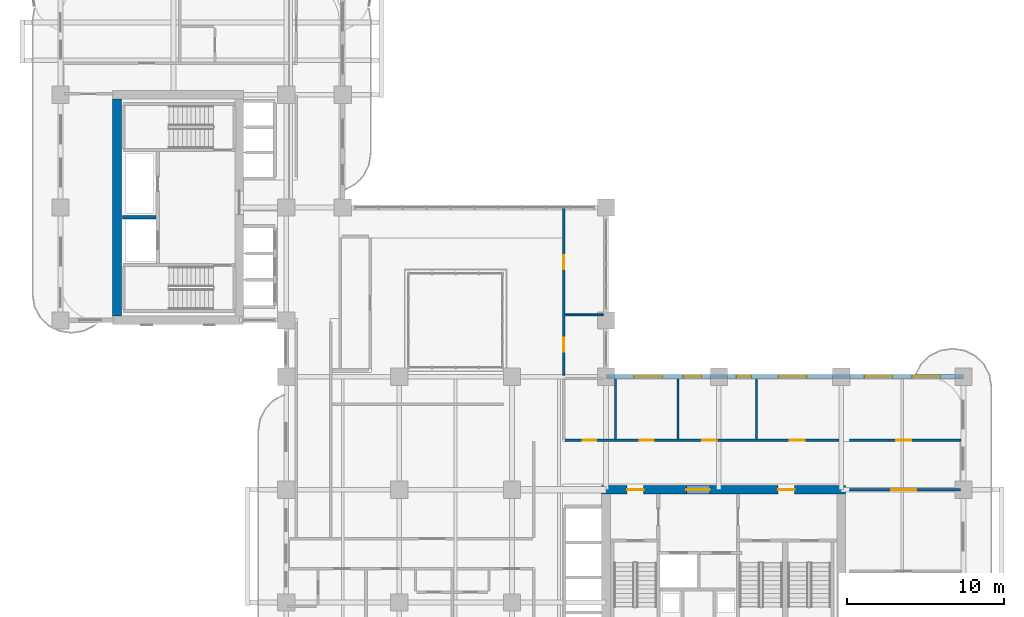
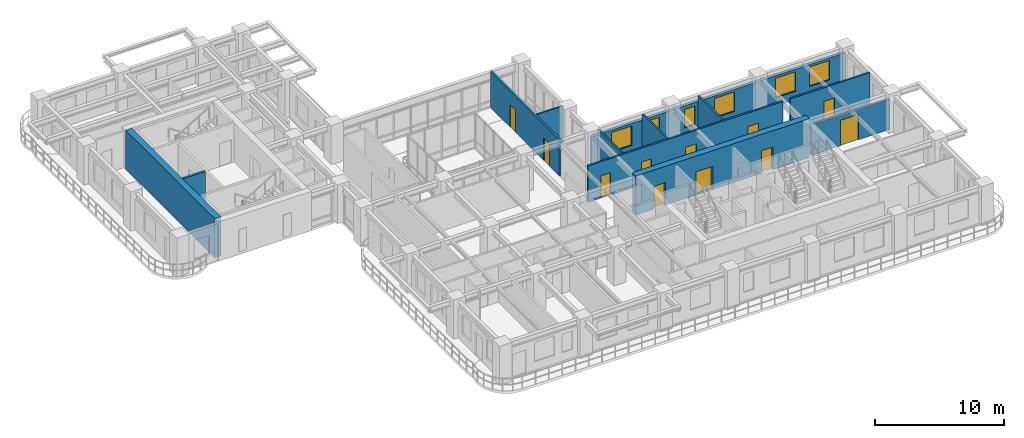
# One storey, part 15 of 22: 12 walls, 11 doors, 6 windows, 17 openings.
"""IFC4 building model written with IfcOpenShell, lengths in metres."""

import ifcopenshell
import ifcopenshell.guid

model = None  # the IFC model being written
_history = None  # IfcOwnerHistory: only IFC2X3 demands one
_inside = {}  # id of a spatial element -> (the spatial element, [elements in it])
_under = {}  # id of a project, library or spatial element -> (it, [spatial elements below it])
_declared = {}  # id of a project -> (the project, [libraries it declares])
_typed = {}  # id of a type object -> (the type object, [elements of that type])
_made_of = {}  # id of a material, layer set ... -> (it, [elements and type objects made of it])


def new_model(schema):
    """Start an empty IFC model of exactly this schema.

    Asked for "IFC4X3", IfcOpenShell would pick the latest addendum, in which some entities
    have other attributes; the version numbers below select the first issue.
    IFC2X3 requires an IfcOwnerHistory on every rooted entity: one is made here for all.
    """
    global model, _history
    if schema == "IFC4X3":
        model = ifcopenshell.file(schema_version=(4, 3, 0, 0))
    else:
        model = ifcopenshell.file(schema=schema)
    _inside.clear()
    _under.clear()
    _declared.clear()
    _typed.clear()
    _made_of.clear()
    _history = None
    if model.schema == "IFC2X3":
        org = make("IfcOrganization", Name="unknown")
        user = make(
            "IfcPersonAndOrganization",
            ThePerson=make("IfcPerson", FamilyName="unknown"),
            TheOrganization=org,
        )
        app = make(
            "IfcApplication",
            ApplicationDeveloper=org,
            Version="unknown",
            ApplicationFullName="unknown",
            ApplicationIdentifier="unknown",
        )
        _history = make(
            "IfcOwnerHistory",
            OwningUser=user,
            OwningApplication=app,
            ChangeAction="ADDED",
            CreationDate=0,
        )
    return model


def make(cls, **values):
    """One entity of the class cls with the attributes given. An attribute that is None is left unset."""
    return model.create_entity(
        cls, **{name: value for name, value in values.items() if value is not None}
    )


def rooted(cls, **values):
    """An entity with a GlobalId (a new one), such as an element, a storey or a relation."""
    return make(cls, GlobalId=ifcopenshell.guid.new(), OwnerHistory=_history, **values)


def si_unit(unit_type, name, prefix=None):
    """IfcSIUnit, for example si_unit("LENGTHUNIT", "METRE", prefix="MILLI")."""
    return make("IfcSIUnit", UnitType=unit_type, Prefix=prefix, Name=name)


def derived_unit(unit_type, elements):
    """IfcDerivedUnit: a product of units, each with its exponent."""
    return make(
        "IfcDerivedUnit",
        Elements=[
            make("IfcDerivedUnitElement", Unit=unit, Exponent=power)
            for unit, power in elements
        ],
        UnitType=unit_type,
    )


def assignment(units):
    """IfcUnitAssignment: the units of a project."""
    return None if units is None else make("IfcUnitAssignment", Units=units)


def point(xyz):
    """IfcCartesianPoint."""
    return None if xyz is None else make("IfcCartesianPoint", Coordinates=xyz)


def direction(xyz):
    """IfcDirection."""
    return None if xyz is None else make("IfcDirection", DirectionRatios=xyz)


def frame(location, z_axis=None, x_axis=None):
    """IfcAxis2Placement3D, a coordinate frame: its origin and axes. An axis left out is left unset."""
    return make(
        "IfcAxis2Placement3D",
        Location=point(location),
        Axis=direction(z_axis),
        RefDirection=direction(x_axis),
    )


def frame_2d(location, x_axis=None):
    """IfcAxis2Placement2D, a coordinate frame in the plane: its origin and x axis."""
    return make(
        "IfcAxis2Placement2D", Location=point(location), RefDirection=direction(x_axis)
    )


def origin():
    """The frame at (0, 0, 0) with its axes left unset."""
    return frame((0.0, 0.0, 0.0))


def place(relative_to, where):
    """IfcLocalPlacement: puts the frame where relative to a parent placement (None: the world)."""
    return make(
        "IfcLocalPlacement", PlacementRelTo=relative_to, RelativePlacement=where
    )


def context(
    kind, dimensions, precision=None, world=None, true_north=None, identifier=None
):
    """IfcGeometricRepresentationContext, for example the 3D "Model" context."""
    return make(
        "IfcGeometricRepresentationContext",
        ContextIdentifier=identifier,
        ContextType=kind,
        CoordinateSpaceDimension=dimensions,
        Precision=precision,
        WorldCoordinateSystem=world,
        TrueNorth=true_north,
    )


def subcontext(parent, identifier, kind, view, scale=None):
    """IfcGeometricRepresentationSubContext, for example "Body" below "Model"."""
    return make(
        "IfcGeometricRepresentationSubContext",
        ContextIdentifier=identifier,
        ContextType=kind,
        ParentContext=parent,
        TargetScale=scale,
        TargetView=view,
    )


def project(units=None, contexts=None):
    """IfcProject with its units and contexts."""
    return rooted(
        "IfcProject",
        Name="project",
        RepresentationContexts=contexts,
        UnitsInContext=assignment(units),
    )


def spatial(cls, under=None, at=None, **own):
    """A site, building, storey or space (cls), placed at a placement, below another one or the project."""
    s = rooted(cls, ObjectPlacement=at, **own)
    if under is not None:
        _under.setdefault(under.id(), (under, []))[1].append(s)
    return s


def profile(cls, at=None, kind="AREA", **sizes):
    """A parametric profile (cls). Its sizes go by their IFC names, for example OverallWidth=200.0."""
    return make(cls, ProfileType=kind, Position=at, **sizes)


def rectangle(**sizes):
    """IfcRectangleProfileDef."""
    return profile("IfcRectangleProfileDef", **sizes)


def extrude(swept, where, along, depth):
    """IfcExtrudedAreaSolid: the profile swept, set in the frame where, extruded along a direction by depth."""
    return make(
        "IfcExtrudedAreaSolid",
        SweptArea=swept,
        Position=where,
        ExtrudedDirection=direction(along),
        Depth=depth,
    )


def shape(context_of_items, identifier, shape_type, items):
    """IfcShapeRepresentation: the items that make up one representation, for example the "Body"."""
    return make(
        "IfcShapeRepresentation",
        ContextOfItems=context_of_items,
        RepresentationIdentifier=identifier,
        RepresentationType=shape_type,
        Items=items,
    )


def source(mapping_origin, context_of_items, identifier, shape_type, items):
    """IfcRepresentationMap: a shape defined once, which mapped items show again and again."""
    return make(
        "IfcRepresentationMap",
        MappingOrigin=mapping_origin,
        MappedRepresentation=shape(context_of_items, identifier, shape_type, items),
    )


def transform(
    local_origin,
    x_axis=None,
    y_axis=None,
    z_axis=None,
    scale=None,
    scale2=None,
    scale3=None,
    uniform=True,
):
    """IfcCartesianTransformationOperator3D, or its non-uniform kind. x_axis, y_axis, z_axis: its Axis1, 2, 3."""
    if uniform:
        return make(
            "IfcCartesianTransformationOperator3D",
            Axis1=direction(x_axis),
            Axis2=direction(y_axis),
            LocalOrigin=point(local_origin),
            Scale=scale,
            Axis3=direction(z_axis),
        )
    return make(
        "IfcCartesianTransformationOperator3DnonUniform",
        Axis1=direction(x_axis),
        Axis2=direction(y_axis),
        LocalOrigin=point(local_origin),
        Scale=scale,
        Axis3=direction(z_axis),
        Scale2=scale2,
        Scale3=scale3,
    )


def mapped(mapping_source, mapping_target):
    """IfcMappedItem: shows the shape of a source again, moved by a transform."""
    return make(
        "IfcMappedItem", MappingSource=mapping_source, MappingTarget=mapping_target
    )


def material(Name=None, Category=None):
    """IfcMaterial."""
    return make("IfcMaterial", Name=Name, Category=Category)


def layer(
    of_material, thickness, ventilated=None, Name=None, Category=None, Priority=None
):
    """IfcMaterialLayer: one layer of a wall or slab, of a material (None: an air gap)."""
    return make(
        "IfcMaterialLayer",
        Material=of_material,
        LayerThickness=thickness,
        IsVentilated=ventilated,
        Name=Name,
        Category=Category,
        Priority=Priority,
    )


def layer_set(layers, Name=None):
    """IfcMaterialLayerSet."""
    return make("IfcMaterialLayerSet", MaterialLayers=layers, LayerSetName=Name)


def made_of(thing, what):
    """Note that an element or type object is made of a material, layer set ...; save() writes the relation."""
    if what is not None:
        _made_of.setdefault(what.id(), (what, []))[1].append(thing)
    return thing


def type_object(cls, material=None, **own):
    """A type object (cls), such as IfcWallType, which elements share."""
    return made_of(rooted(cls, **own), material)


def type_shapes(of_type, sources):
    """Give a type object the sources (RepresentationMaps) that its elements show as mapped items."""
    of_type.RepresentationMaps = sources


def element(
    cls,
    number,
    at=None,
    inside=None,
    cuts=None,
    type_object=None,
    material=None,
    context=None,
    identifier="Body",
    shape_type=None,
    held_by="IfcProductDefinitionShape",
    body=None,
    shapes=None,
    **own,
):
    """One element of the class cls, such as IfcWall. Its Tag is "e" and its number.

    at: its placement. inside: the storey or other place that contains it. cuts: it is an
    opening in that element (IfcRelVoidsElement). A single representation is given by context,
    identifier, shape_type and body (its items); several are given by shapes. held_by: the class
    of the entity that holds the representations. save() writes the other relations.
    """
    e = rooted(cls, Tag="e%d" % number, ObjectPlacement=at, **own)
    if body is not None:
        shapes = [shape(context, identifier, shape_type, body)]
    if shapes is not None:
        e.Representation = make(held_by, Representations=shapes)
    if inside is not None:
        _inside.setdefault(inside.id(), (inside, []))[1].append(e)
    if cuts is not None:
        rooted(
            "IfcRelVoidsElement", RelatingBuildingElement=cuts, RelatedOpeningElement=e
        )
    if type_object is not None:
        _typed.setdefault(type_object.id(), (type_object, []))[1].append(e)
    return made_of(e, material)


def fill(opening, filler):
    """IfcRelFillsElement: the door or window that sits in an opening."""
    return rooted(
        "IfcRelFillsElement",
        RelatingOpeningElement=opening,
        RelatedBuildingElement=filler,
    )


def aggregate(whole, parts):
    """IfcRelAggregates: a whole, such as a stair, and the parts it consists of."""
    return rooted("IfcRelAggregates", RelatingObject=whole, RelatedObjects=parts)


def save(model, path):
    """Write the relations noted so far, then the file.

    IfcRelAggregates (storeys below a building ...), IfcRelContainedInSpatialStructure (elements
    in a storey), IfcRelDefinesByType, IfcRelAssociatesMaterial and IfcRelDeclares: one each for
    every whole, place, type object, material and project.
    """
    for whole, parts in _under.values():
        aggregate(whole, parts)
    for where, things in _inside.values():
        rooted(
            "IfcRelContainedInSpatialStructure",
            RelatedElements=things,
            RelatingStructure=where,
        )
    for kind, things in _typed.values():
        rooted("IfcRelDefinesByType", RelatedObjects=things, RelatingType=kind)
    for what, things in _made_of.values():
        rooted("IfcRelAssociatesMaterial", RelatedObjects=things, RelatingMaterial=what)
    for by, libraries in _declared.values():
        rooted("IfcRelDeclares", RelatingContext=by, RelatedDefinitions=libraries)
    model.write(path)


model = new_model("IFC4")

# Units and contexts
model_context = context("Model", 3, precision=1e-05, world=origin(), true_north=direction((0.0, 1.0)))
body_context = subcontext(model_context, "Body", "Model", "MODEL_VIEW")
ifc_project = project(units=[si_unit("LENGTHUNIT", "METRE"), si_unit("AREAUNIT", "SQUARE_METRE"), si_unit("VOLUMEUNIT", "CUBIC_METRE"), si_unit("PLANEANGLEUNIT", "RADIAN"), si_unit("MASSUNIT", "GRAM", prefix="KILO"), si_unit("THERMODYNAMICTEMPERATUREUNIT", "KELVIN"), si_unit("POWERUNIT", "WATT"), derived_unit("THERMALTRANSMITTANCEUNIT", [(si_unit("POWERUNIT", "WATT"), 1), (si_unit("AREAUNIT", "SQUARE_METRE"), -1), (si_unit("THERMODYNAMICTEMPERATUREUNIT", "KELVIN"), -1)])], contexts=[model_context])

# Site, building, storey
site_placement = place(None, origin())
site = spatial("IfcSite", under=ifc_project, at=site_placement, CompositionType="ELEMENT")
building_placement = place(site_placement, origin())
building = spatial("IfcBuilding", under=site, at=building_placement, Name="Zahravan Archway Hotel and Residences", CompositionType="ELEMENT")
storey_placement = place(building_placement, frame((0.0, 0.0, 73.10009765625)))
storey = spatial("IfcBuildingStorey", under=building, at=storey_placement, Name="L17", CompositionType="ELEMENT", Elevation=73.10009765625)

# Wall, openings, doors
ifc_material_1 = material(Name="Concrete C70/85", Category="concrete")
ifc_layer_1 = layer(ifc_material_1, 0.550048828125, Name="Concrete C70/85", Category="concrete")
ifc_layer_set_1 = layer_set([ifc_layer_1], Name="Concrete C70/85")
wall_type_1 = type_object("IfcWallType", Name="CW-CORE-550", PredefinedType="SHEAR", material=ifc_layer_set_1)
wall_1_placement = place(storey_placement, frame((34.52490234375, 14.39990234375, 0.0), z_axis=(0.0, 0.0, 1.0), x_axis=(1.0, 0.0, 0.0)))
wall_1 = element("IfcWall", 1, at=wall_1_placement, inside=storey, type_object=wall_type_1, Name="L17 Core A Shear N Wall 550 mm", PredefinedType="SHEAR", context=body_context, shape_type="SweptSolid", body=[
    extrude(rectangle(XDim=15.550048828125, YDim=0.550048828125, at=frame_2d((7.77490234375, 0.0))), origin(), (0.0, 0.0, 1.0), 3.699951171875),
])
opening_1_placement = place(wall_1_placement, frame((5.405029296875, 0.0, 0.0)))
opening_1 = element("IfcOpeningElement", 2, at=opening_1_placement, cuts=wall_1, Name="Opening FD-L1", PredefinedType="OPENING", context=body_context, shape_type="SweptSolid", body=[
    extrude(rectangle(XDim=1.5, YDim=2.199951171875, at=frame_2d((0.75, 1.10009765625))), frame((0.0, 0.28515625, 0.0), z_axis=(0.0, -1.0, 0.0), x_axis=(1.0, 0.0, 0.0)), (0.0, 0.0, 1.0), 0.570068359375),
])
opening_2_placement = place(wall_1_placement, frame((1.6201171875, 0.0, 0.0)))
opening_2 = element("IfcOpeningElement", 3, at=opening_2_placement, cuts=wall_1, Name="Opening FD-L2", PredefinedType="OPENING", context=body_context, shape_type="SweptSolid", body=[
    extrude(rectangle(XDim=1.050048828125, YDim=2.14990234375, at=frame_2d((0.52490234375, 1.074951171875))), frame((0.0, 0.28515625, 0.0), z_axis=(0.0, -1.0, 0.0), x_axis=(1.0, 0.0, 0.0)), (0.0, 0.0, 1.0), 0.570068359375),
])
opening_3_placement = place(wall_1_placement, frame((11.25, 0.0, 0.0)))
opening_3 = element("IfcOpeningElement", 4, at=opening_3_placement, cuts=wall_1, Name="Opening FD-L2", PredefinedType="OPENING", context=body_context, shape_type="SweptSolid", body=[
    extrude(rectangle(XDim=1.050048828125, YDim=2.14990234375, at=frame_2d((0.52490234375, 1.074951171875))), frame((0.0, 0.28515625, 0.0), z_axis=(0.0, -1.0, 0.0), x_axis=(1.0, 0.0, 0.0)), (0.0, 0.0, 1.0), 0.570068359375),
])
ifc_material_2 = material(Name="Fire-Rated Painted Steel", Category="steel")
door_type_1 = type_object("IfcDoorType", Name="FD-LOBBY-1100", OperationType="NOTDEFINED", PredefinedType="DOOR", material=ifc_material_2)
shared_shape_1 = source(origin(), body_context, "Body", "SweptSolid", [
    extrude(rectangle(XDim=1.050048828125, YDim=2.14990234375, at=frame_2d((0.52490234375, 1.074951171875))), frame((0.0, 0.02490234375, 0.0), z_axis=(0.0, -1.0, 0.0), x_axis=(1.0, 0.0, 0.0)), (0.0, 0.0, 1.0), 0.050048828125),
])
type_shapes(door_type_1, [shared_shape_1])
door_1_placement = place(opening_2_placement, origin())
door_1 = element("IfcDoor", 5, at=door_1_placement, inside=storey, type_object=door_type_1, Name="L17 Core A West Stair Lobby Door", OperationType="SINGLE_SWING_RIGHT", OverallHeight=2.14990234375, OverallWidth=1.050048828125, PredefinedType="DOOR", context=body_context, shape_type="MappedRepresentation", body=[
    mapped(shared_shape_1, transform((0.0, 0.0, 0.0), scale=1.0)),
])
fill(opening_2, door_1)
door_2_placement = place(opening_3_placement, origin())
door_2 = element("IfcDoor", 6, at=door_2_placement, inside=storey, type_object=door_type_1, Name="L17 Core A East Stair Lobby Door", OperationType="SINGLE_SWING_LEFT", OverallHeight=2.14990234375, OverallWidth=1.050048828125, PredefinedType="DOOR", context=body_context, shape_type="MappedRepresentation", body=[
    mapped(shared_shape_1, transform((0.0, 0.0, 0.0), scale=1.0)),
])
fill(opening_3, door_2)
door_type_2 = type_object("IfcDoorType", Name="FD-LOBBY-1500", OperationType="DOUBLE_DOOR_SINGLE_SWING", PredefinedType="DOOR", material=ifc_material_2)
shared_shape_2 = source(origin(), body_context, "Body", "SweptSolid", [
    extrude(rectangle(XDim=1.5, YDim=2.199951171875, at=frame_2d((0.75, 1.10009765625))), frame((0.0, 0.02490234375, 0.0), z_axis=(0.0, -1.0, 0.0), x_axis=(1.0, 0.0, 0.0)), (0.0, 0.0, 1.0), 0.050048828125),
])
type_shapes(door_type_2, [shared_shape_2])
door_3_placement = place(opening_1_placement, origin())
door_3 = element("IfcDoor", 7, at=door_3_placement, inside=storey, type_object=door_type_2, Name="L17 Core A FSAE Lobby Main Door", OperationType="DOUBLE_DOOR_SINGLE_SWING", OverallHeight=2.199951171875, OverallWidth=1.5, PredefinedType="DOOR", context=body_context, shape_type="MappedRepresentation", body=[
    mapped(shared_shape_2, transform((0.0, 0.0, 0.0), scale=1.0)),
])
fill(opening_1, door_3)

# Wall
wall_2_placement = place(storey_placement, frame((3.60009765625, 25.47509765625, 0.0), z_axis=(0.0, 0.0, 1.0), x_axis=(0.0, 1.0, 0.0)))
element("IfcWall", 8, at=wall_2_placement, inside=storey, type_object=wall_type_1, Name="L17 Core B Shear W Wall 550 mm", PredefinedType="SHEAR", context=body_context, shape_type="SweptSolid", body=[
    extrude(rectangle(XDim=13.849853515625, YDim=0.550048828125, at=frame_2d((6.9248046875, 0.0))), origin(), (0.0, 0.0, 1.0), 3.699951171875),
])

# Wall, openings, windows
ifc_material_3 = material(Name="Honed Red-Ochre Sandstone & Insulated Block", Category="masonry")
ifc_layer_2 = layer(ifc_material_3, 0.280029296875, Name="Honed Red-Ochre Sandstone & Insulated Block", Category="masonry")
ifc_layer_set_2 = layer_set([ifc_layer_2], Name="Honed Red-Ochre Sandstone & Insulated Block")
wall_type_2 = type_object("IfcWallType", Name="EW-LOG-280", PredefinedType="SOLIDWALL", material=ifc_layer_set_2)
wall_3_placement = place(storey_placement, frame((34.800048828125, 21.60009765625, 0.0), z_axis=(0.0, 0.0, 1.0), x_axis=(1.0, 0.0, 0.0)))
wall_3 = element("IfcWall", 9, at=wall_3_placement, inside=storey, type_object=wall_type_2, Name="L17 Exterior Sandstone Wall WA-NE", PredefinedType="SOLIDWALL", context=body_context, shape_type="SweptSolid", body=[
    extrude(rectangle(XDim=22.800048828125, YDim=0.280029296875, at=frame_2d((11.39990234375, 0.0))), origin(), (0.0, 0.0, 1.0), 2.885009765625),
])
opening_4_placement = place(wall_3_placement, frame((1.7958984375, 0.0, 0.800048828125)))
opening_4 = element("IfcOpeningElement", 10, at=opening_4_placement, cuts=wall_3, Name="Opening W-02", PredefinedType="OPENING", context=body_context, shape_type="SweptSolid", body=[
    extrude(rectangle(XDim=1.800048828125, YDim=1.85009765625, at=frame_2d((0.89990234375, 0.925048828125))), frame((0.0, 0.14990234375, 0.0), z_axis=(0.0, -1.0, 0.0), x_axis=(1.0, 0.0, 0.0)), (0.0, 0.0, 1.0), 0.300048828125),
])
opening_5_placement = place(wall_3_placement, frame((4.928955078125, 0.0, 0.800048828125)))
opening_5 = element("IfcOpeningElement", 11, at=opening_5_placement, cuts=wall_3, Name="Opening W-05", PredefinedType="OPENING", context=body_context, shape_type="SweptSolid", body=[
    extrude(rectangle(XDim=1.14990234375, YDim=1.800048828125, at=frame_2d((0.574951171875, 0.89990234375))), frame((0.0, 0.14990234375, 0.0), z_axis=(0.0, -1.0, 0.0), x_axis=(1.0, 0.0, 0.0)), (0.0, 0.0, 1.0), 0.300048828125),
])
opening_6_placement = place(wall_3_placement, frame((8.321044921875, 0.0, 0.800048828125)))
opening_6 = element("IfcOpeningElement", 12, at=opening_6_placement, cuts=wall_3, Name="Opening W-04", PredefinedType="OPENING", context=body_context, shape_type="SweptSolid", body=[
    extrude(rectangle(XDim=0.949951171875, YDim=1.75, at=frame_2d((0.47509765625, 0.875))), frame((0.0, 0.14990234375, 0.0), z_axis=(0.0, -1.0, 0.0), x_axis=(1.0, 0.0, 0.0)), (0.0, 0.0, 1.0), 0.300048828125),
])
opening_7_placement = place(wall_3_placement, frame((11.00390625, 0.0, 0.800048828125)))
opening_7 = element("IfcOpeningElement", 13, at=opening_7_placement, cuts=wall_3, Name="Opening W-02", PredefinedType="OPENING", context=body_context, shape_type="SweptSolid", body=[
    extrude(rectangle(XDim=1.800048828125, YDim=1.85009765625, at=frame_2d((0.89990234375, 0.925048828125))), frame((0.0, 0.14990234375, 0.0), z_axis=(0.0, -1.0, 0.0), x_axis=(1.0, 0.0, 0.0)), (0.0, 0.0, 1.0), 0.300048828125),
])
opening_8_placement = place(wall_3_placement, frame((16.47509765625, 0.0, 0.800048828125)))
opening_8 = element("IfcOpeningElement", 14, at=opening_8_placement, cuts=wall_3, Name="Opening W-02", PredefinedType="OPENING", context=body_context, shape_type="SweptSolid", body=[
    extrude(rectangle(XDim=1.800048828125, YDim=1.85009765625, at=frame_2d((0.89990234375, 0.925048828125))), frame((0.0, 0.14990234375, 0.0), z_axis=(0.0, -1.0, 0.0), x_axis=(1.0, 0.0, 0.0)), (0.0, 0.0, 1.0), 0.300048828125),
])
opening_9_placement = place(wall_3_placement, frame((19.52490234375, 0.0, 0.800048828125)))
opening_9 = element("IfcOpeningElement", 15, at=opening_9_placement, cuts=wall_3, Name="Opening W-02", PredefinedType="OPENING", context=body_context, shape_type="SweptSolid", body=[
    extrude(rectangle(XDim=1.800048828125, YDim=1.85009765625, at=frame_2d((0.89990234375, 0.925048828125))), frame((0.0, 0.14990234375, 0.0), z_axis=(0.0, -1.0, 0.0), x_axis=(1.0, 0.0, 0.0)), (0.0, 0.0, 1.0), 0.300048828125),
])
ifc_material_4 = material(Name="Bronze-Anodized Thermal-Break Aluminium & Low-E Glass", Category="aluminium")
window_type_1 = type_object("IfcWindowType", Name="WIN-NAR-950", PartitioningType="SINGLE_PANEL", PredefinedType="WINDOW", material=ifc_material_4)
shared_shape_3 = source(origin(), body_context, "Body", "SweptSolid", [
    extrude(rectangle(XDim=0.949951171875, YDim=1.75, at=frame_2d((0.47509765625, 0.875))), frame((0.0, 0.030029296875, 0.0), z_axis=(0.0, -1.0, 0.0), x_axis=(1.0, 0.0, 0.0)), (0.0, 0.0, 1.0), 0.06005859375),
])
type_shapes(window_type_1, [shared_shape_3])
window_1_placement = place(opening_6_placement, origin())
window_1 = element("IfcWindow", 16, at=window_1_placement, inside=storey, type_object=window_type_1, Name="L17 Loggia Window 19", OverallHeight=1.75, OverallWidth=0.949951171875, PartitioningType="SINGLE_PANEL", PredefinedType="WINDOW", context=body_context, shape_type="MappedRepresentation", body=[
    mapped(shared_shape_3, transform((0.0, 0.0, 0.0), scale=1.0)),
])
fill(opening_6, window_1)
window_type_2 = type_object("IfcWindowType", Name="WIN-TWR-1800", PartitioningType="DOUBLE_PANEL_VERTICAL", PredefinedType="WINDOW", material=ifc_material_4)
shared_shape_4 = source(origin(), body_context, "Body", "SweptSolid", [
    extrude(rectangle(XDim=1.800048828125, YDim=1.85009765625, at=frame_2d((0.89990234375, 0.925048828125))), frame((0.0, 0.030029296875, 0.0), z_axis=(0.0, -1.0, 0.0), x_axis=(1.0, 0.0, 0.0)), (0.0, 0.0, 1.0), 0.06005859375),
])
type_shapes(window_type_2, [shared_shape_4])
window_2_placement = place(opening_4_placement, origin())
window_2 = element("IfcWindow", 17, at=window_2_placement, inside=storey, type_object=window_type_2, Name="L17 Loggia Window 17", OverallHeight=1.85009765625, OverallWidth=1.800048828125, PartitioningType="DOUBLE_PANEL_VERTICAL", PredefinedType="WINDOW", context=body_context, shape_type="MappedRepresentation", body=[
    mapped(shared_shape_4, transform((0.0, 0.0, 0.0), scale=1.0)),
])
fill(opening_4, window_2)
window_3_placement = place(opening_7_placement, origin())
window_3 = element("IfcWindow", 18, at=window_3_placement, inside=storey, type_object=window_type_2, Name="L17 Loggia Window 20", OverallHeight=1.85009765625, OverallWidth=1.800048828125, PartitioningType="DOUBLE_PANEL_VERTICAL", PredefinedType="WINDOW", context=body_context, shape_type="MappedRepresentation", body=[
    mapped(shared_shape_4, transform((0.0, 0.0, 0.0), scale=1.0)),
])
fill(opening_7, window_3)
window_4_placement = place(opening_8_placement, origin())
window_4 = element("IfcWindow", 19, at=window_4_placement, inside=storey, type_object=window_type_2, Name="L17 Loggia Window 21", OverallHeight=1.85009765625, OverallWidth=1.800048828125, PartitioningType="DOUBLE_PANEL_VERTICAL", PredefinedType="WINDOW", context=body_context, shape_type="MappedRepresentation", body=[
    mapped(shared_shape_4, transform((0.0, 0.0, 0.0), scale=1.0)),
])
fill(opening_8, window_4)
window_5_placement = place(opening_9_placement, origin())
window_5 = element("IfcWindow", 20, at=window_5_placement, inside=storey, type_object=window_type_2, Name="L17 Loggia Window 22", OverallHeight=1.85009765625, OverallWidth=1.800048828125, PartitioningType="DOUBLE_PANEL_VERTICAL", PredefinedType="WINDOW", context=body_context, shape_type="MappedRepresentation", body=[
    mapped(shared_shape_4, transform((0.0, 0.0, 0.0), scale=1.0)),
])
fill(opening_9, window_5)
window_type_3 = type_object("IfcWindowType", Name="WIN-TWR-1150", PartitioningType="SINGLE_PANEL", PredefinedType="WINDOW", material=ifc_material_4)
shared_shape_5 = source(origin(), body_context, "Body", "SweptSolid", [
    extrude(rectangle(XDim=1.14990234375, YDim=1.800048828125, at=frame_2d((0.574951171875, 0.89990234375))), frame((0.0, 0.030029296875, 0.0), z_axis=(0.0, -1.0, 0.0), x_axis=(1.0, 0.0, 0.0)), (0.0, 0.0, 1.0), 0.06005859375),
])
type_shapes(window_type_3, [shared_shape_5])
window_6_placement = place(opening_5_placement, origin())
window_6 = element("IfcWindow", 21, at=window_6_placement, inside=storey, type_object=window_type_3, Name="L17 Loggia Window 18", OverallHeight=1.800048828125, OverallWidth=1.14990234375, PartitioningType="SINGLE_PANEL", PredefinedType="WINDOW", context=body_context, shape_type="MappedRepresentation", body=[
    mapped(shared_shape_5, transform((0.0, 0.0, 0.0), scale=1.0)),
])
fill(opening_5, window_6)

# Wall, openings, doors
ifc_material_5 = material(Name="Fire-Rated Gypsum & Concrete Block", Category="concrete")
ifc_layer_3 = layer(ifc_material_5, 0.159912109375, Name="Fire-Rated Gypsum & Concrete Block", Category="concrete")
ifc_layer_set_3 = layer_set([ifc_layer_3], Name="Fire-Rated Gypsum & Concrete Block")
wall_type_3 = type_object("IfcWallType", Name="PW-CORR-160", PredefinedType="PARTITIONING", material=ifc_layer_set_3)
wall_4_placement = place(storey_placement, frame((32.18994140625, 17.550048828125, 0.0), z_axis=(0.0, 0.0, 1.0), x_axis=(1.0, 0.0, 0.0)))
wall_4 = element("IfcWall", 22, at=wall_4_placement, inside=storey, type_object=wall_type_3, Name="L17 Partition WA-FN", PredefinedType="PARTITIONING", context=body_context, shape_type="SweptSolid", body=[
    extrude(rectangle(XDim=17.469970703125, YDim=0.159912109375, at=frame_2d((8.73486328125, 0.0))), origin(), (0.0, 0.0, 1.0), 3.449951171875),
])
opening_10_placement = place(wall_4_placement, frame((1.135009765625, 0.0, 0.0)))
opening_10 = element("IfcOpeningElement", 23, at=opening_10_placement, cuts=wall_4, Name="Opening D-B1", PredefinedType="OPENING", context=body_context, shape_type="SweptSolid", body=[
    extrude(rectangle(XDim=0.85009765625, YDim=2.10009765625, at=frame_2d((0.425048828125, 1.050048828125))), frame((0.0, 0.08984375, 0.0), z_axis=(0.0, -1.0, 0.0), x_axis=(1.0, 0.0, 0.0)), (0.0, 0.0, 1.0), 0.179931640625),
])
opening_11_placement = place(wall_4_placement, frame((4.760009765625, 0.0, 0.0)))
opening_11 = element("IfcOpeningElement", 24, at=opening_11_placement, cuts=wall_4, Name="Opening D-I2", PredefinedType="OPENING", context=body_context, shape_type="SweptSolid", body=[
    extrude(rectangle(XDim=0.89990234375, YDim=2.14990234375, at=frame_2d((0.449951171875, 1.074951171875))), frame((0.0, 0.08984375, 0.0), z_axis=(0.0, -1.0, 0.0), x_axis=(1.0, 0.0, 0.0)), (0.0, 0.0, 1.0), 0.179931640625),
])
opening_12_placement = place(wall_4_placement, frame((8.735107421875, 0.0, 0.0)))
opening_12 = element("IfcOpeningElement", 25, at=opening_12_placement, cuts=wall_4, Name="Opening D-I1", PredefinedType="OPENING", context=body_context, shape_type="SweptSolid", body=[
    extrude(rectangle(XDim=0.949951171875, YDim=2.14990234375, at=frame_2d((0.47509765625, 1.074951171875))), frame((0.0, 0.08984375, 0.0), z_axis=(0.0, -1.0, 0.0), x_axis=(1.0, 0.0, 0.0)), (0.0, 0.0, 1.0), 0.179931640625),
])
opening_13_placement = place(wall_4_placement, frame((14.3349609375, 0.0, 0.0)))
opening_13 = element("IfcOpeningElement", 26, at=opening_13_placement, cuts=wall_4, Name="Opening D-I1", PredefinedType="OPENING", context=body_context, shape_type="SweptSolid", body=[
    extrude(rectangle(XDim=0.949951171875, YDim=2.14990234375, at=frame_2d((0.47509765625, 1.074951171875))), frame((0.0, 0.08984375, 0.0), z_axis=(0.0, -1.0, 0.0), x_axis=(1.0, 0.0, 0.0)), (0.0, 0.0, 1.0), 0.179931640625),
])
ifc_material_6 = material(Name="Hardwood Veneer Timber", Category="wood")
door_type_3 = type_object("IfcDoorType", Name="ID-BATH-850", OperationType="NOTDEFINED", PredefinedType="DOOR", material=ifc_material_6)
shared_shape_6 = source(origin(), body_context, "Body", "SweptSolid", [
    extrude(rectangle(XDim=0.85009765625, YDim=2.10009765625, at=frame_2d((0.425048828125, 1.050048828125))), frame((0.0, 0.02490234375, 0.0), z_axis=(0.0, -1.0, 0.0), x_axis=(1.0, 0.0, 0.0)), (0.0, 0.0, 1.0), 0.050048828125),
])
type_shapes(door_type_3, [shared_shape_6])
door_4_placement = place(opening_10_placement, origin())
door_4 = element("IfcDoor", 27, at=door_4_placement, inside=storey, type_object=door_type_3, Name="L17 Accessible WC Door", OperationType="SINGLE_SWING_RIGHT", OverallHeight=2.10009765625, OverallWidth=0.85009765625, PredefinedType="DOOR", context=body_context, shape_type="MappedRepresentation", body=[
    mapped(shared_shape_6, transform((0.0, 0.0, 0.0), scale=1.0)),
])
fill(opening_10, door_4)
door_type_4 = type_object("IfcDoorType", Name="ID-INT-950", OperationType="NOTDEFINED", PredefinedType="DOOR", material=ifc_material_6)
shared_shape_7 = source(origin(), body_context, "Body", "SweptSolid", [
    extrude(rectangle(XDim=0.949951171875, YDim=2.14990234375, at=frame_2d((0.47509765625, 1.074951171875))), frame((0.0, 0.02490234375, 0.0), z_axis=(0.0, -1.0, 0.0), x_axis=(1.0, 0.0, 0.0)), (0.0, 0.0, 1.0), 0.050048828125),
])
type_shapes(door_type_4, [shared_shape_7])
door_5_placement = place(opening_12_placement, origin())
door_5 = element("IfcDoor", 28, at=door_5_placement, inside=storey, type_object=door_type_4, Name="L17 Boardroom Door", OperationType="SINGLE_SWING_RIGHT", OverallHeight=2.14990234375, OverallWidth=0.949951171875, PredefinedType="DOOR", context=body_context, shape_type="MappedRepresentation", body=[
    mapped(shared_shape_7, transform((0.0, 0.0, 0.0), scale=1.0)),
])
fill(opening_12, door_5)
door_6_placement = place(opening_13_placement, origin())
door_6 = element("IfcDoor", 29, at=door_6_placement, inside=storey, type_object=door_type_4, Name="L17 Therapy Clinic Door", OperationType="SINGLE_SWING_LEFT", OverallHeight=2.14990234375, OverallWidth=0.949951171875, PredefinedType="DOOR", context=body_context, shape_type="MappedRepresentation", body=[
    mapped(shared_shape_7, transform((0.0, 0.0, 0.0), scale=1.0)),
])
fill(opening_13, door_6)
door_type_5 = type_object("IfcDoorType", Name="ID-INT-900", OperationType="NOTDEFINED", PredefinedType="DOOR", material=ifc_material_6)
shared_shape_8 = source(origin(), body_context, "Body", "SweptSolid", [
    extrude(rectangle(XDim=0.89990234375, YDim=2.14990234375, at=frame_2d((0.449951171875, 1.074951171875))), frame((0.0, 0.02490234375, 0.0), z_axis=(0.0, -1.0, 0.0), x_axis=(1.0, 0.0, 0.0)), (0.0, 0.0, 1.0), 0.050048828125),
])
type_shapes(door_type_5, [shared_shape_8])
door_7_placement = place(opening_11_placement, origin())
door_7 = element("IfcDoor", 30, at=door_7_placement, inside=storey, type_object=door_type_5, Name="L17 Pantry Door", OperationType="SINGLE_SWING_LEFT", OverallHeight=2.14990234375, OverallWidth=0.89990234375, PredefinedType="DOOR", context=body_context, shape_type="MappedRepresentation", body=[
    mapped(shared_shape_8, transform((0.0, 0.0, 0.0), scale=1.0)),
])
fill(opening_11, door_7)

# Wall, opening, door
wall_5_placement = place(storey_placement, frame((50.340087890625, 17.550048828125, 0.0), z_axis=(0.0, 0.0, 1.0), x_axis=(1.0, 0.0, 0.0)))
wall_5 = element("IfcWall", 31, at=wall_5_placement, inside=storey, type_object=wall_type_3, Name="L17 Partition EA-PN", PredefinedType="PARTITIONING", context=body_context, shape_type="SweptSolid", body=[
    extrude(rectangle(XDim=7.11181640625, YDim=0.159912109375, at=frame_2d((3.555908203125, 0.0))), origin(), (0.0, 0.0, 1.0), 3.449951171875),
])
opening_14_placement = place(wall_5_placement, frame((2.985107421875, 0.0, 0.0)))
opening_14 = element("IfcOpeningElement", 32, at=opening_14_placement, cuts=wall_5, Name="Opening D-I1", PredefinedType="OPENING", context=body_context, shape_type="SweptSolid", body=[
    extrude(rectangle(XDim=0.949951171875, YDim=2.14990234375, at=frame_2d((0.47509765625, 1.074951171875))), frame((0.0, 0.08984375, 0.0), z_axis=(0.0, -1.0, 0.0), x_axis=(1.0, 0.0, 0.0)), (0.0, 0.0, 1.0), 0.179931640625),
])
door_8_placement = place(opening_14_placement, origin())
door_8 = element("IfcDoor", 33, at=door_8_placement, inside=storey, type_object=door_type_4, Name="L17 East Co-Working Office Door", OperationType="SINGLE_SWING_LEFT", OverallHeight=2.14990234375, OverallWidth=0.949951171875, PredefinedType="DOOR", context=body_context, shape_type="MappedRepresentation", body=[
    mapped(shared_shape_7, transform((0.0, 0.0, 0.0), scale=1.0)),
])
fill(opening_14, door_8)

# Walls
ifc_material_7 = material(Name="Acoustic Stud Partition")
ifc_layer_4 = layer(ifc_material_7, 0.125, Name="Acoustic Stud Partition")
ifc_layer_set_4 = layer_set([ifc_layer_4], Name="Acoustic Stud Partition")
wall_type_4 = type_object("IfcWallType", Name="PW-INT-125", PredefinedType="PARTITIONING", material=ifc_layer_set_4)
wall_6_placement = place(storey_placement, frame((32.18994140625, 25.550048828125, 0.0), z_axis=(0.0, 0.0, 1.0), x_axis=(1.0, 0.0, 0.0)))
element("IfcWall", 34, at=wall_6_placement, inside=storey, type_object=wall_type_4, Name="L17 Partition ATR-EM1", PredefinedType="PARTITIONING", context=body_context, shape_type="SweptSolid", body=[
    extrude(rectangle(XDim=2.420166015625, YDim=0.125, at=frame_2d((1.2099609375, 0.0))), origin(), (0.0, 0.0, 1.0), 3.449951171875),
])
ifc_layer_5 = layer(ifc_material_5, 0.199951171875, Name="Fire-Rated Gypsum & Concrete Block", Category="concrete")
ifc_layer_set_5 = layer_set([ifc_layer_5], Name="Fire-Rated Gypsum & Concrete Block")
wall_type_5 = type_object("IfcWallType", Name="PW-SHAFT-200", PredefinedType="PARTITIONING", material=ifc_layer_set_5)
wall_7_placement = place(storey_placement, frame((3.9599609375, 31.780029296875, 0.0), z_axis=(0.0, 0.0, 1.0), x_axis=(1.0, 0.0, 0.0)))
element("IfcWall", 35, at=wall_7_placement, inside=storey, type_object=wall_type_5, Name="L17 Partition CB-FL3N", PredefinedType="PARTITIONING", context=body_context, shape_type="SweptSolid", body=[
    extrude(rectangle(XDim=2.130126953125, YDim=0.199951171875, at=frame_2d((1.06494140625, 0.0))), origin(), (0.0, 0.0, 1.0), 3.449951171875),
])

# Wall, opening, door
ifc_layer_6 = layer(ifc_material_7, 0.169921875, Name="Acoustic Stud Partition")
ifc_layer_set_6 = layer_set([ifc_layer_6], Name="Acoustic Stud Partition")
wall_type_6 = type_object("IfcWallType", Name="PW-UNIT-170", PredefinedType="PARTITIONING", material=ifc_layer_set_6)
wall_8_placement = place(storey_placement, frame((50.340087890625, 14.39990234375, 0.0), z_axis=(0.0, 0.0, 1.0), x_axis=(1.0, 0.0, 0.0)))
wall_8 = element("IfcWall", 36, at=wall_8_placement, inside=storey, type_object=wall_type_6, Name="L17 Partition EA-PS", PredefinedType="PARTITIONING", context=body_context, shape_type="SweptSolid", body=[
    extrude(rectangle(XDim=7.06982421875, YDim=0.169921875, at=frame_2d((3.534912109375, 0.0))), origin(), (0.0, 0.0, 1.0), 2.885009765625),
])
opening_15_placement = place(wall_8_placement, frame((2.659912109375, 0.0, 0.0)))
opening_15 = element("IfcOpeningElement", 37, at=opening_15_placement, cuts=wall_8, Name="Opening D-P2", PredefinedType="OPENING", context=body_context, shape_type="SweptSolid", body=[
    extrude(rectangle(XDim=1.60009765625, YDim=2.39990234375, at=frame_2d((0.800048828125, 1.199951171875))), frame((0.0, 0.094970703125, 0.0), z_axis=(0.0, -1.0, 0.0), x_axis=(1.0, 0.0, 0.0)), (0.0, 0.0, 1.0), 0.18994140625),
])
ifc_material_8 = material(Name="Bronze-Anodized Glazed Aluminium", Category="aluminium")
door_type_6 = type_object("IfcDoorType", Name="ID-PUBLIC-1600", OperationType="DOUBLE_DOOR_SINGLE_SWING", PredefinedType="DOOR", material=ifc_material_8)
shared_shape_9 = source(origin(), body_context, "Body", "SweptSolid", [
    extrude(rectangle(XDim=1.60009765625, YDim=2.39990234375, at=frame_2d((0.800048828125, 1.199951171875))), frame((0.0, 0.02490234375, 0.0), z_axis=(0.0, -1.0, 0.0), x_axis=(1.0, 0.0, 0.0)), (0.0, 0.0, 1.0), 0.050048828125),
])
type_shapes(door_type_6, [shared_shape_9])
door_9_placement = place(opening_15_placement, origin())
door_9 = element("IfcDoor", 38, at=door_9_placement, inside=storey, type_object=door_type_6, Name="L17 East Banquet Dining Door", OperationType="DOUBLE_DOOR_SINGLE_SWING", OverallHeight=2.39990234375, OverallWidth=1.60009765625, PredefinedType="DOOR", context=body_context, shape_type="MappedRepresentation", body=[
    mapped(shared_shape_9, transform((0.0, 0.0, 0.0), scale=1.0)),
])
fill(opening_15, door_9)

# Wall, openings, doors
wall_9_placement = place(storey_placement, frame((32.10009765625, 21.669921875, 0.0), z_axis=(0.0, 0.0, 1.0), x_axis=(0.0, 1.0, 0.0)))
wall_9 = element("IfcWall", 39, at=wall_9_placement, inside=storey, type_object=wall_type_6, Name="L17 Partition ATR-E", PredefinedType="PARTITIONING", context=body_context, shape_type="SweptSolid", body=[
    extrude(rectangle(XDim=10.7021484375, YDim=0.169921875, at=frame_2d((5.35107421875, 0.0))), origin(), (0.0, 0.0, 1.0), 3.449951171875),
])
opening_16_placement = place(wall_9_placement, frame((1.530029296875, 0.0, 0.0)))
opening_16 = element("IfcOpeningElement", 40, at=opening_16_placement, cuts=wall_9, Name="Opening D-I2", PredefinedType="OPENING", context=body_context, shape_type="SweptSolid", body=[
    extrude(rectangle(XDim=0.89990234375, YDim=2.14990234375, at=frame_2d((0.449951171875, 1.074951171875))), frame((0.0, 0.094970703125, 0.0), z_axis=(0.0, -1.0, 0.0), x_axis=(1.0, 0.0, 0.0)), (0.0, 0.0, 1.0), 0.18994140625),
])
opening_17_placement = place(wall_9_placement, frame((6.780029296875, 0.0, 0.0)))
opening_17 = element("IfcOpeningElement", 41, at=opening_17_placement, cuts=wall_9, Name="Opening D-I2", PredefinedType="OPENING", context=body_context, shape_type="SweptSolid", body=[
    extrude(rectangle(XDim=0.89990234375, YDim=2.14990234375, at=frame_2d((0.449951171875, 1.074951171875))), frame((0.0, 0.094970703125, 0.0), z_axis=(0.0, -1.0, 0.0), x_axis=(1.0, 0.0, 0.0)), (0.0, 0.0, 1.0), 0.18994140625),
])
door_10_placement = place(opening_16_placement, origin())
door_10 = element("IfcDoor", 42, at=door_10_placement, inside=storey, type_object=door_type_5, Name="L17 Atrium Office Door", OperationType="SINGLE_SWING_LEFT", OverallHeight=2.14990234375, OverallWidth=0.89990234375, PredefinedType="DOOR", context=body_context, shape_type="MappedRepresentation", body=[
    mapped(shared_shape_8, transform((0.0, 0.0, 0.0), scale=1.0)),
])
fill(opening_16, door_10)
door_11_placement = place(opening_17_placement, origin())
door_11 = element("IfcDoor", 43, at=door_11_placement, inside=storey, type_object=door_type_5, Name="L17 Atrium Boardroom Door", OperationType="SINGLE_SWING_RIGHT", OverallHeight=2.14990234375, OverallWidth=0.89990234375, PredefinedType="DOOR", context=body_context, shape_type="MappedRepresentation", body=[
    mapped(shared_shape_8, transform((0.0, 0.0, 0.0), scale=1.0)),
])
fill(opening_17, door_11)

# Walls
ifc_material_9 = material(Name="Moisture-Resistant Blockwork", Category="masonry")
ifc_layer_7 = layer(ifc_material_9, 0.139892578125, Name="Moisture-Resistant Blockwork", Category="masonry")
ifc_layer_set_7 = layer_set([ifc_layer_7], Name="Moisture-Resistant Blockwork")
wall_type_7 = type_object("IfcWallType", Name="PW-WET-140", PredefinedType="PARTITIONING", material=ifc_layer_set_7)
for number, where, z_axis, x_axis, name in (
    (44, (35.39990234375, 17.639892578125, 0.0), (0.0, 0.0, 1.0), (0.0, 1.0, 0.0), "L17 Partition NE2-1"),
    (45, (39.39990234375, 17.639892578125, 0.0), (0.0, 0.0, 1.0), (0.0, 1.0, 0.0), "L17 Partition NE2-2"),
    (46, (44.39990234375, 17.639892578125, 0.0), (0.0, 0.0, 1.0), (0.0, 1.0, 0.0), "L17 Partition NE2-3"),
):
    element("IfcWall", number, at=place(storey_placement, frame(where, z_axis=z_axis, x_axis=x_axis)), inside=storey, type_object=wall_type_7, Name=name, PredefinedType="PARTITIONING", context=body_context, shape_type="SweptSolid", body=[
        extrude(rectangle(XDim=3.81201171875, YDim=0.139892578125, at=frame_2d((1.906005859375, 0.0))), origin(), (0.0, 0.0, 1.0), 3.449951171875),
    ])

save(model, "model.ifc")
